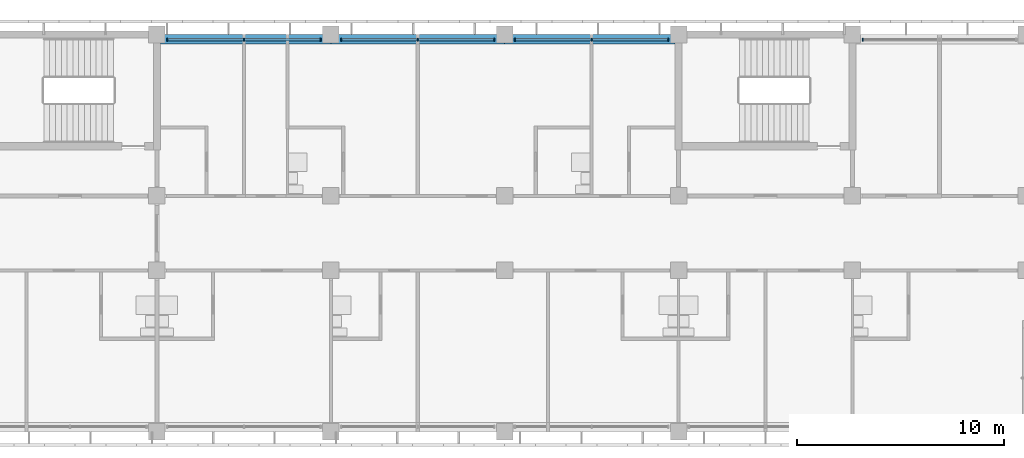
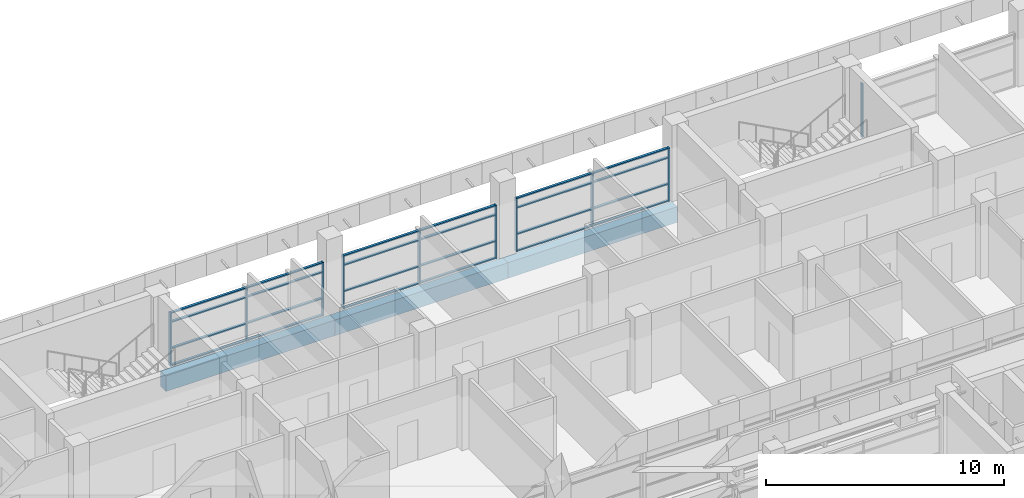
# One storey, part 17 of 71: 34 members, 3 beams, 4 elements without a shape of their own.
"""IFC4 building model written with IfcOpenShell, lengths in metres."""

from ifc_helpers import new_model, si_unit, direction, frame, origin, origin_2d, place, context, subcontext, project, spatial, rectangle, extrude, material, material_profile, profile_set, type_object, element, aggregate, save


model = new_model("IFC4")

# Units and contexts
model_context = context("Model", 3, precision=1e-05, world=origin(), true_north=direction((0.0, 1.0)))
body_context = subcontext(model_context, "Body", "Model", "MODEL_VIEW")
ifc_project = project(units=[si_unit("LENGTHUNIT", "METRE"), si_unit("AREAUNIT", "SQUARE_METRE"), si_unit("VOLUMEUNIT", "CUBIC_METRE"), si_unit("PLANEANGLEUNIT", "RADIAN"), si_unit("MASSUNIT", "GRAM", prefix="KILO")], contexts=[model_context])

# Site, building, storey
site_placement = place(None, origin())
site = spatial("IfcSite", under=ifc_project, at=site_placement, CompositionType="ELEMENT")
building_placement = place(site_placement, origin())
building = spatial("IfcBuilding", under=site, at=building_placement, Name="Bougainvillea Quay General Hospital", CompositionType="ELEMENT")
storey_placement = place(building_placement, frame((0.0, 0.0, 24.89990234375)))
storey = spatial("IfcBuildingStorey", under=building, at=storey_placement, Name="L05", CompositionType="ELEMENT", Elevation=24.89990234375)

# Curtain wall, member
ifc_material_1 = material(Name="Aluminium curtain wall system, powder-coated glazed", Category="aluminium")
curtain_wall_type = type_object("IfcCurtainWallType", Name="Unitised curtain wall CW-3730", PredefinedType="NOTDEFINED", material=ifc_material_1)
curtain_wall_1_placement = place(storey_placement, origin())
curtain_wall_1 = element("IfcCurtainWall", 1, at=curtain_wall_1_placement, inside=storey, type_object=curtain_wall_type, Name="CW-4200 03", PredefinedType="NOTDEFINED")
ifc_material_2 = material(Name="Aluminium mullion, powder-coated charcoal", Category="aluminium")
ifc_material_profile_1 = material_profile(ifc_material_2, rectangle(XDim=0.159912109375, YDim=0.06005859375, at=origin_2d()))
ifc_profile_set_1 = profile_set([ifc_material_profile_1], Name="Aluminium mullion, powder-coated charcoal")
member_type_1 = type_object("IfcMemberType", Name="Curtain wall mullion 160x60", PredefinedType="MULLION", material=ifc_profile_set_1)
member_1_placement = place(storey_placement, frame((143.300048828125, 159.35009765625, 0.0), z_axis=(0.0, 0.0, 1.0), x_axis=(0.0, -1.0, 0.0)))
member_1 = element("IfcMember", 2, at=member_1_placement, type_object=member_type_1, Name="CW-4200 mullion 3", PredefinedType="MULLION", context=body_context, shape_type="SweptSolid", body=[
    extrude(rectangle(XDim=0.159912109375, YDim=0.06005859375, at=origin_2d()), origin(), (0.0, 0.0, 1.0), 2.75),
])
aggregate(curtain_wall_1, [member_1])

# Curtain wall, members
curtain_wall_2_placement = place(storey_placement, origin())
curtain_wall_2 = element("IfcCurtainWall", 3, at=curtain_wall_2_placement, inside=storey, type_object=curtain_wall_type, Name="CW-4200 04", PredefinedType="NOTDEFINED")
member_2_placement = place(storey_placement, frame((133.89990234375, 159.35009765625, 0.0), z_axis=(0.0, 0.0, 1.0), x_axis=(0.0, -1.0, 0.0)))
member_2 = element("IfcMember", 4, at=member_2_placement, type_object=member_type_1, Name="CW-4200 mullion 1", PredefinedType="MULLION", context=body_context, shape_type="SweptSolid", body=[
    extrude(rectangle(XDim=0.159912109375, YDim=0.06005859375, at=origin_2d()), origin(), (0.0, 0.0, 1.0), 2.75),
])
member_3_placement = place(storey_placement, frame((130.199951171875, 159.35009765625, 0.0), z_axis=(0.0, 0.0, 1.0), x_axis=(0.0, -1.0, 0.0)))
member_3 = element("IfcMember", 5, at=member_3_placement, type_object=member_type_1, Name="CW-4200 mullion 2", PredefinedType="MULLION", context=body_context, shape_type="SweptSolid", body=[
    extrude(rectangle(XDim=0.159912109375, YDim=0.06005859375, at=origin_2d()), origin(), (0.0, 0.0, 1.0), 2.75),
])
member_4_placement = place(storey_placement, frame((126.5, 159.35009765625, 0.0), z_axis=(0.0, 0.0, 1.0), x_axis=(0.0, -1.0, 0.0)))
member_4 = element("IfcMember", 6, at=member_4_placement, type_object=member_type_1, Name="CW-4200 mullion 3", PredefinedType="MULLION", context=body_context, shape_type="SweptSolid", body=[
    extrude(rectangle(XDim=0.159912109375, YDim=0.06005859375, at=origin_2d()), origin(), (0.0, 0.0, 1.0), 2.75),
])

curtain_wall_3_placement = place(storey_placement, origin())
curtain_wall_3 = element("IfcCurtainWall", 7, at=curtain_wall_3_placement, inside=storey, type_object=curtain_wall_type, Name="CW-4200 05", PredefinedType="NOTDEFINED")
member_5_placement = place(storey_placement, frame((125.5, 159.35009765625, 0.0), z_axis=(0.0, 0.0, 1.0), x_axis=(0.0, -1.0, 0.0)))
member_5 = element("IfcMember", 8, at=member_5_placement, type_object=member_type_1, Name="CW-4200 mullion 1", PredefinedType="MULLION", context=body_context, shape_type="SweptSolid", body=[
    extrude(rectangle(XDim=0.159912109375, YDim=0.06005859375, at=origin_2d()), origin(), (0.0, 0.0, 1.0), 2.75),
])
member_6_placement = place(storey_placement, frame((121.800048828125, 159.35009765625, 0.0), z_axis=(0.0, 0.0, 1.0), x_axis=(0.0, -1.0, 0.0)))
member_6 = element("IfcMember", 9, at=member_6_placement, type_object=member_type_1, Name="CW-4200 mullion 2", PredefinedType="MULLION", context=body_context, shape_type="SweptSolid", body=[
    extrude(rectangle(XDim=0.159912109375, YDim=0.06005859375, at=origin_2d()), origin(), (0.0, 0.0, 1.0), 2.75),
])
member_7_placement = place(storey_placement, frame((118.10009765625, 159.35009765625, 0.0), z_axis=(0.0, 0.0, 1.0), x_axis=(0.0, -1.0, 0.0)))
member_7 = element("IfcMember", 10, at=member_7_placement, type_object=member_type_1, Name="CW-4200 mullion 3", PredefinedType="MULLION", context=body_context, shape_type="SweptSolid", body=[
    extrude(rectangle(XDim=0.159912109375, YDim=0.06005859375, at=origin_2d()), origin(), (0.0, 0.0, 1.0), 2.75),
])

curtain_wall_4_placement = place(storey_placement, origin())
curtain_wall_4 = element("IfcCurtainWall", 11, at=curtain_wall_4_placement, inside=storey, type_object=curtain_wall_type, Name="CW-4200 06", PredefinedType="NOTDEFINED")
member_8_placement = place(storey_placement, frame((117.10009765625, 159.35009765625, 0.0), z_axis=(0.0, 0.0, 1.0), x_axis=(0.0, -1.0, 0.0)))
member_8 = element("IfcMember", 12, at=member_8_placement, type_object=member_type_1, Name="CW-4200 mullion 1", PredefinedType="MULLION", context=body_context, shape_type="SweptSolid", body=[
    extrude(rectangle(XDim=0.159912109375, YDim=0.06005859375, at=origin_2d()), origin(), (0.0, 0.0, 1.0), 2.75),
])
member_9_placement = place(storey_placement, frame((113.39990234375, 159.35009765625, 0.0), z_axis=(0.0, 0.0, 1.0), x_axis=(0.0, -1.0, 0.0)))
member_9 = element("IfcMember", 13, at=member_9_placement, type_object=member_type_1, Name="CW-4200 mullion 2", PredefinedType="MULLION", context=body_context, shape_type="SweptSolid", body=[
    extrude(rectangle(XDim=0.159912109375, YDim=0.06005859375, at=origin_2d()), origin(), (0.0, 0.0, 1.0), 2.75),
])
member_10_placement = place(storey_placement, frame((109.699951171875, 159.35009765625, 0.0), z_axis=(0.0, 0.0, 1.0), x_axis=(0.0, -1.0, 0.0)))
member_10 = element("IfcMember", 14, at=member_10_placement, type_object=member_type_1, Name="CW-4200 mullion 3", PredefinedType="MULLION", context=body_context, shape_type="SweptSolid", body=[
    extrude(rectangle(XDim=0.159912109375, YDim=0.06005859375, at=origin_2d()), origin(), (0.0, 0.0, 1.0), 2.75),
])

# Member
ifc_material_3 = material(Name="Aluminium transom, powder-coated charcoal", Category="aluminium")
ifc_material_profile_2 = material_profile(ifc_material_3, rectangle(XDim=0.1201171875, YDim=0.06005859375, at=origin_2d()))
ifc_profile_set_2 = profile_set([ifc_material_profile_2], Name="Aluminium transom, powder-coated charcoal")
member_type_2 = type_object("IfcMemberType", Name="Curtain wall transom 120x60", PredefinedType="USERDEFINED", material=ifc_profile_set_2)
member_11_placement = place(storey_placement, frame((133.8701171875, 159.35009765625, 0.030029296875), z_axis=(-1.0, 0.0, 0.0), x_axis=(0.0, -1.0, 0.0)))
member_11 = element("IfcMember", 15, at=member_11_placement, type_object=member_type_2, Name="CW-4200 transom 1.1", ObjectType="TRANSOM", PredefinedType="USERDEFINED", context=body_context, shape_type="SweptSolid", body=[
    extrude(rectangle(XDim=0.1201171875, YDim=0.06005859375, at=origin_2d()), origin(), (0.0, 0.0, 1.0), 3.64013671875),
])

member_12_placement = place(storey_placement, frame((133.8701171875, 159.35009765625, 0.900146484375), z_axis=(-1.0, 0.0, 0.0), x_axis=(0.0, -1.0, 0.0)))
member_12 = element("IfcMember", 16, at=member_12_placement, type_object=member_type_2, Name="CW-4200 transom 1.2", ObjectType="TRANSOM", PredefinedType="USERDEFINED", context=body_context, shape_type="SweptSolid", body=[
    extrude(rectangle(XDim=0.1201171875, YDim=0.06005859375, at=origin_2d()), origin(), (0.0, 0.0, 1.0), 3.64013671875),
])

member_13_placement = place(storey_placement, frame((133.8701171875, 159.35009765625, 2.25), z_axis=(-1.0, 0.0, 0.0), x_axis=(0.0, -1.0, 0.0)))
member_13 = element("IfcMember", 17, at=member_13_placement, type_object=member_type_2, Name="CW-4200 transom 1.3", ObjectType="TRANSOM", PredefinedType="USERDEFINED", context=body_context, shape_type="SweptSolid", body=[
    extrude(rectangle(XDim=0.1201171875, YDim=0.06005859375, at=origin_2d()), origin(), (0.0, 0.0, 1.0), 3.64013671875),
])

member_14_placement = place(storey_placement, frame((133.8701171875, 159.35009765625, 2.72021484375), z_axis=(-1.0, 0.0, 0.0), x_axis=(0.0, -1.0, 0.0)))
member_14 = element("IfcMember", 18, at=member_14_placement, type_object=member_type_2, Name="CW-4200 transom 1.4", ObjectType="TRANSOM", PredefinedType="USERDEFINED", context=body_context, shape_type="SweptSolid", body=[
    extrude(rectangle(XDim=0.1201171875, YDim=0.06005859375, at=origin_2d()), origin(), (0.0, 0.0, 1.0), 3.64013671875),
])

member_15_placement = place(storey_placement, frame((130.169921875, 159.35009765625, 0.030029296875), z_axis=(-1.0, 0.0, 0.0), x_axis=(0.0, -1.0, 0.0)))
member_15 = element("IfcMember", 19, at=member_15_placement, type_object=member_type_2, Name="CW-4200 transom 2.1", ObjectType="TRANSOM", PredefinedType="USERDEFINED", context=body_context, shape_type="SweptSolid", body=[
    extrude(rectangle(XDim=0.1201171875, YDim=0.06005859375, at=origin_2d()), origin(), (0.0, 0.0, 1.0), 3.639892578125),
])

member_16_placement = place(storey_placement, frame((130.169921875, 159.35009765625, 0.900146484375), z_axis=(-1.0, 0.0, 0.0), x_axis=(0.0, -1.0, 0.0)))
member_16 = element("IfcMember", 20, at=member_16_placement, type_object=member_type_2, Name="CW-4200 transom 2.2", ObjectType="TRANSOM", PredefinedType="USERDEFINED", context=body_context, shape_type="SweptSolid", body=[
    extrude(rectangle(XDim=0.1201171875, YDim=0.06005859375, at=origin_2d()), origin(), (0.0, 0.0, 1.0), 3.639892578125),
])

member_17_placement = place(storey_placement, frame((130.169921875, 159.35009765625, 2.25), z_axis=(-1.0, 0.0, 0.0), x_axis=(0.0, -1.0, 0.0)))
member_17 = element("IfcMember", 21, at=member_17_placement, type_object=member_type_2, Name="CW-4200 transom 2.3", ObjectType="TRANSOM", PredefinedType="USERDEFINED", context=body_context, shape_type="SweptSolid", body=[
    extrude(rectangle(XDim=0.1201171875, YDim=0.06005859375, at=origin_2d()), origin(), (0.0, 0.0, 1.0), 3.639892578125),
])

member_18_placement = place(storey_placement, frame((130.169921875, 159.35009765625, 2.72021484375), z_axis=(-1.0, 0.0, 0.0), x_axis=(0.0, -1.0, 0.0)))
member_18 = element("IfcMember", 22, at=member_18_placement, type_object=member_type_2, Name="CW-4200 transom 2.4", ObjectType="TRANSOM", PredefinedType="USERDEFINED", context=body_context, shape_type="SweptSolid", body=[
    extrude(rectangle(XDim=0.1201171875, YDim=0.06005859375, at=origin_2d()), origin(), (0.0, 0.0, 1.0), 3.639892578125),
])

aggregate(curtain_wall_2, [member_2, member_3, member_4, member_11, member_12, member_13, member_14, member_15, member_16, member_17, member_18])

member_19_placement = place(storey_placement, frame((125.469970703125, 159.35009765625, 0.030029296875), z_axis=(-1.0, 0.0, 0.0), x_axis=(0.0, -1.0, 0.0)))
member_19 = element("IfcMember", 23, at=member_19_placement, type_object=member_type_2, Name="CW-4200 transom 1.1", ObjectType="TRANSOM", PredefinedType="USERDEFINED", context=body_context, shape_type="SweptSolid", body=[
    extrude(rectangle(XDim=0.1201171875, YDim=0.06005859375, at=origin_2d()), origin(), (0.0, 0.0, 1.0), 3.639892578125),
])

member_20_placement = place(storey_placement, frame((125.469970703125, 159.35009765625, 0.900146484375), z_axis=(-1.0, 0.0, 0.0), x_axis=(0.0, -1.0, 0.0)))
member_20 = element("IfcMember", 24, at=member_20_placement, type_object=member_type_2, Name="CW-4200 transom 1.2", ObjectType="TRANSOM", PredefinedType="USERDEFINED", context=body_context, shape_type="SweptSolid", body=[
    extrude(rectangle(XDim=0.1201171875, YDim=0.06005859375, at=origin_2d()), origin(), (0.0, 0.0, 1.0), 3.639892578125),
])

member_21_placement = place(storey_placement, frame((125.469970703125, 159.35009765625, 2.25), z_axis=(-1.0, 0.0, 0.0), x_axis=(0.0, -1.0, 0.0)))
member_21 = element("IfcMember", 25, at=member_21_placement, type_object=member_type_2, Name="CW-4200 transom 1.3", ObjectType="TRANSOM", PredefinedType="USERDEFINED", context=body_context, shape_type="SweptSolid", body=[
    extrude(rectangle(XDim=0.1201171875, YDim=0.06005859375, at=origin_2d()), origin(), (0.0, 0.0, 1.0), 3.639892578125),
])

member_22_placement = place(storey_placement, frame((125.469970703125, 159.35009765625, 2.72021484375), z_axis=(-1.0, 0.0, 0.0), x_axis=(0.0, -1.0, 0.0)))
member_22 = element("IfcMember", 26, at=member_22_placement, type_object=member_type_2, Name="CW-4200 transom 1.4", ObjectType="TRANSOM", PredefinedType="USERDEFINED", context=body_context, shape_type="SweptSolid", body=[
    extrude(rectangle(XDim=0.1201171875, YDim=0.06005859375, at=origin_2d()), origin(), (0.0, 0.0, 1.0), 3.639892578125),
])

member_23_placement = place(storey_placement, frame((121.77001953125, 159.35009765625, 0.030029296875), z_axis=(-1.0, 0.0, 0.0), x_axis=(0.0, -1.0, 0.0)))
member_23 = element("IfcMember", 27, at=member_23_placement, type_object=member_type_2, Name="CW-4200 transom 2.1", ObjectType="TRANSOM", PredefinedType="USERDEFINED", context=body_context, shape_type="SweptSolid", body=[
    extrude(rectangle(XDim=0.1201171875, YDim=0.06005859375, at=origin_2d()), origin(), (0.0, 0.0, 1.0), 3.64013671875),
])

member_24_placement = place(storey_placement, frame((121.77001953125, 159.35009765625, 0.900146484375), z_axis=(-1.0, 0.0, 0.0), x_axis=(0.0, -1.0, 0.0)))
member_24 = element("IfcMember", 28, at=member_24_placement, type_object=member_type_2, Name="CW-4200 transom 2.2", ObjectType="TRANSOM", PredefinedType="USERDEFINED", context=body_context, shape_type="SweptSolid", body=[
    extrude(rectangle(XDim=0.1201171875, YDim=0.06005859375, at=origin_2d()), origin(), (0.0, 0.0, 1.0), 3.64013671875),
])

member_25_placement = place(storey_placement, frame((121.77001953125, 159.35009765625, 2.25), z_axis=(-1.0, 0.0, 0.0), x_axis=(0.0, -1.0, 0.0)))
member_25 = element("IfcMember", 29, at=member_25_placement, type_object=member_type_2, Name="CW-4200 transom 2.3", ObjectType="TRANSOM", PredefinedType="USERDEFINED", context=body_context, shape_type="SweptSolid", body=[
    extrude(rectangle(XDim=0.1201171875, YDim=0.06005859375, at=origin_2d()), origin(), (0.0, 0.0, 1.0), 3.64013671875),
])

member_26_placement = place(storey_placement, frame((121.77001953125, 159.35009765625, 2.72021484375), z_axis=(-1.0, 0.0, 0.0), x_axis=(0.0, -1.0, 0.0)))
member_26 = element("IfcMember", 30, at=member_26_placement, type_object=member_type_2, Name="CW-4200 transom 2.4", ObjectType="TRANSOM", PredefinedType="USERDEFINED", context=body_context, shape_type="SweptSolid", body=[
    extrude(rectangle(XDim=0.1201171875, YDim=0.06005859375, at=origin_2d()), origin(), (0.0, 0.0, 1.0), 3.64013671875),
])

aggregate(curtain_wall_3, [member_5, member_6, member_7, member_19, member_20, member_21, member_22, member_23, member_24, member_25, member_26])

member_27_placement = place(storey_placement, frame((117.070068359375, 159.35009765625, 0.030029296875), z_axis=(-1.0, 0.0, 0.0), x_axis=(0.0, -1.0, 0.0)))
member_27 = element("IfcMember", 31, at=member_27_placement, type_object=member_type_2, Name="CW-4200 transom 1.1", ObjectType="TRANSOM", PredefinedType="USERDEFINED", context=body_context, shape_type="SweptSolid", body=[
    extrude(rectangle(XDim=0.1201171875, YDim=0.06005859375, at=origin_2d()), origin(), (0.0, 0.0, 1.0), 3.64013671875),
])

member_28_placement = place(storey_placement, frame((117.070068359375, 159.35009765625, 0.900146484375), z_axis=(-1.0, 0.0, 0.0), x_axis=(0.0, -1.0, 0.0)))
member_28 = element("IfcMember", 32, at=member_28_placement, type_object=member_type_2, Name="CW-4200 transom 1.2", ObjectType="TRANSOM", PredefinedType="USERDEFINED", context=body_context, shape_type="SweptSolid", body=[
    extrude(rectangle(XDim=0.1201171875, YDim=0.06005859375, at=origin_2d()), origin(), (0.0, 0.0, 1.0), 3.64013671875),
])

member_29_placement = place(storey_placement, frame((117.070068359375, 159.35009765625, 2.25), z_axis=(-1.0, 0.0, 0.0), x_axis=(0.0, -1.0, 0.0)))
member_29 = element("IfcMember", 33, at=member_29_placement, type_object=member_type_2, Name="CW-4200 transom 1.3", ObjectType="TRANSOM", PredefinedType="USERDEFINED", context=body_context, shape_type="SweptSolid", body=[
    extrude(rectangle(XDim=0.1201171875, YDim=0.06005859375, at=origin_2d()), origin(), (0.0, 0.0, 1.0), 3.64013671875),
])

member_30_placement = place(storey_placement, frame((117.070068359375, 159.35009765625, 2.72021484375), z_axis=(-1.0, 0.0, 0.0), x_axis=(0.0, -1.0, 0.0)))
member_30 = element("IfcMember", 34, at=member_30_placement, type_object=member_type_2, Name="CW-4200 transom 1.4", ObjectType="TRANSOM", PredefinedType="USERDEFINED", context=body_context, shape_type="SweptSolid", body=[
    extrude(rectangle(XDim=0.1201171875, YDim=0.06005859375, at=origin_2d()), origin(), (0.0, 0.0, 1.0), 3.64013671875),
])

member_31_placement = place(storey_placement, frame((113.3701171875, 159.35009765625, 0.030029296875), z_axis=(-1.0, 0.0, 0.0), x_axis=(0.0, -1.0, 0.0)))
member_31 = element("IfcMember", 35, at=member_31_placement, type_object=member_type_2, Name="CW-4200 transom 2.1", ObjectType="TRANSOM", PredefinedType="USERDEFINED", context=body_context, shape_type="SweptSolid", body=[
    extrude(rectangle(XDim=0.1201171875, YDim=0.06005859375, at=origin_2d()), origin(), (0.0, 0.0, 1.0), 3.64013671875),
])

member_32_placement = place(storey_placement, frame((113.3701171875, 159.35009765625, 0.900146484375), z_axis=(-1.0, 0.0, 0.0), x_axis=(0.0, -1.0, 0.0)))
member_32 = element("IfcMember", 36, at=member_32_placement, type_object=member_type_2, Name="CW-4200 transom 2.2", ObjectType="TRANSOM", PredefinedType="USERDEFINED", context=body_context, shape_type="SweptSolid", body=[
    extrude(rectangle(XDim=0.1201171875, YDim=0.06005859375, at=origin_2d()), origin(), (0.0, 0.0, 1.0), 3.64013671875),
])

member_33_placement = place(storey_placement, frame((113.3701171875, 159.35009765625, 2.25), z_axis=(-1.0, 0.0, 0.0), x_axis=(0.0, -1.0, 0.0)))
member_33 = element("IfcMember", 37, at=member_33_placement, type_object=member_type_2, Name="CW-4200 transom 2.3", ObjectType="TRANSOM", PredefinedType="USERDEFINED", context=body_context, shape_type="SweptSolid", body=[
    extrude(rectangle(XDim=0.1201171875, YDim=0.06005859375, at=origin_2d()), origin(), (0.0, 0.0, 1.0), 3.64013671875),
])

member_34_placement = place(storey_placement, frame((113.3701171875, 159.35009765625, 2.72021484375), z_axis=(-1.0, 0.0, 0.0), x_axis=(0.0, -1.0, 0.0)))
member_34 = element("IfcMember", 38, at=member_34_placement, type_object=member_type_2, Name="CW-4200 transom 2.4", ObjectType="TRANSOM", PredefinedType="USERDEFINED", context=body_context, shape_type="SweptSolid", body=[
    extrude(rectangle(XDim=0.1201171875, YDim=0.06005859375, at=origin_2d()), origin(), (0.0, 0.0, 1.0), 3.64013671875),
])

aggregate(curtain_wall_4, [member_8, member_9, member_10, member_27, member_28, member_29, member_30, member_31, member_32, member_33, member_34])

# Beams
ifc_material_4 = material(Name="Concrete C40", Category="concrete")
ifc_material_profile_3 = material_profile(ifc_material_4, rectangle(XDim=0.449951171875, YDim=0.800048828125, at=origin_2d()))
ifc_profile_set_3 = profile_set([ifc_material_profile_3], Name="Concrete C40")
beam_type = type_object("IfcBeamType", Name="RC BEAM 450x800 C40", PredefinedType="BEAM", material=ifc_profile_set_3)
beam_1_placement = place(storey_placement, frame((134.22509765625, 159.375, -0.699951171875), z_axis=(-1.0, 0.0, 0.0), x_axis=(0.0, -1.0, 0.0)))
element("IfcBeam", 39, at=beam_1_placement, inside=storey, type_object=beam_type, Name="Edge beam L05", PredefinedType="BEAM", context=body_context, shape_type="SweptSolid", body=[
    extrude(rectangle(XDim=0.449951171875, YDim=0.800048828125, at=origin_2d()), origin(), (0.0, 0.0, 1.0), 8.22509765625),
])
beam_2_placement = place(storey_placement, frame((126.0, 159.375, -0.699951171875), z_axis=(-1.0, 0.0, 0.0), x_axis=(0.0, -1.0, 0.0)))
element("IfcBeam", 40, at=beam_2_placement, inside=storey, type_object=beam_type, Name="Edge beam L05", PredefinedType="BEAM", context=body_context, shape_type="SweptSolid", body=[
    extrude(rectangle(XDim=0.449951171875, YDim=0.800048828125, at=origin_2d()), origin(), (0.0, 0.0, 1.0), 8.39990234375),
])
beam_3_placement = place(storey_placement, frame((117.60009765625, 159.375, -0.699951171875), z_axis=(-1.0, 0.0, 0.0), x_axis=(0.0, -1.0, 0.0)))
element("IfcBeam", 41, at=beam_3_placement, inside=storey, type_object=beam_type, Name="Edge beam L05", PredefinedType="BEAM", context=body_context, shape_type="SweptSolid", body=[
    extrude(rectangle(XDim=0.449951171875, YDim=0.800048828125, at=origin_2d()), origin(), (0.0, 0.0, 1.0), 8.22509765625),
])

save(model, "model.ifc")
